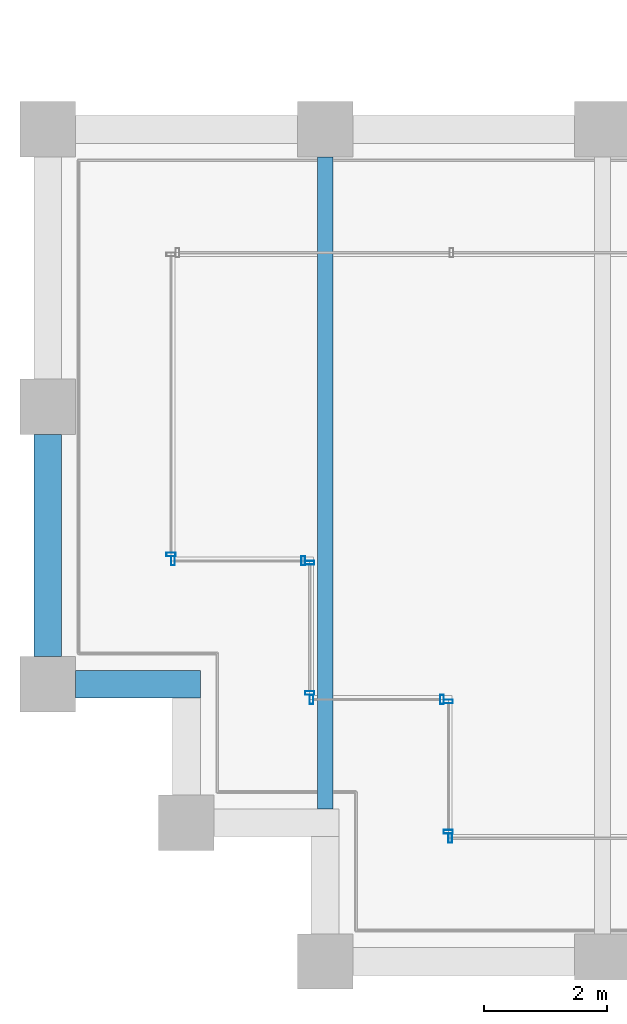
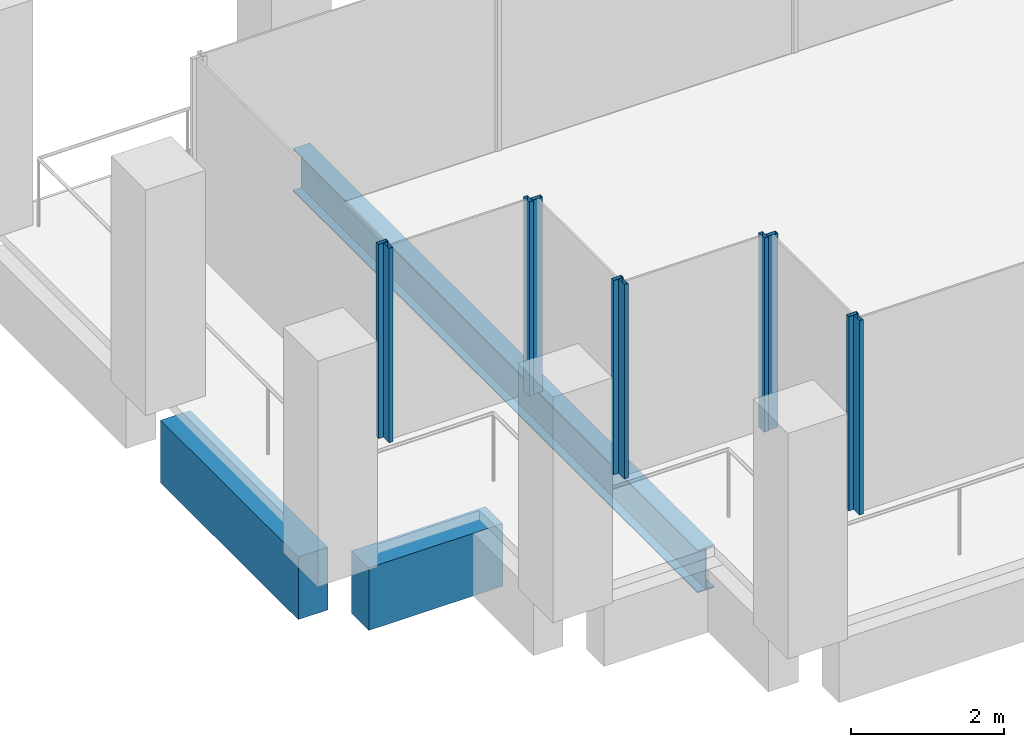
# One storey, part 2 of 40: 10 members, 3 beams, 6 elements without a shape of their own.
"""IFC4 building model written with IfcOpenShell, lengths in metres."""

from ifc_helpers import new_model, si_unit, direction, frame, origin, origin_2d, place, context, subcontext, project, spatial, rectangle, hollow_rectangle, i_section, extrude, material, material_profile, profile_set, type_object, element, aggregate, save


model = new_model("IFC4")

# Units and contexts
model_context = context("Model", 3, precision=1e-05, world=origin(), true_north=direction((0.0, 1.0)))
body_context = subcontext(model_context, "Body", "Model", "MODEL_VIEW")
ifc_project = project(units=[si_unit("LENGTHUNIT", "METRE"), si_unit("AREAUNIT", "SQUARE_METRE"), si_unit("VOLUMEUNIT", "CUBIC_METRE"), si_unit("PLANEANGLEUNIT", "RADIAN"), si_unit("MASSUNIT", "GRAM", prefix="KILO")], contexts=[model_context])

# Site, building, storey
site_placement = place(None, origin())
site = spatial("IfcSite", under=ifc_project, at=site_placement, CompositionType="ELEMENT")
building_placement = place(site_placement, origin())
building = spatial("IfcBuilding", under=site, at=building_placement, Name="Altepetl Exchange Towers", CompositionType="ELEMENT")
storey_placement = place(building_placement, frame((0.0, 0.0, 161.800048828125)))
storey = spatial("IfcBuildingStorey", under=building, at=storey_placement, Name="L40", CompositionType="ELEMENT", Elevation=161.800048828125)

# Beam
ifc_material_1 = material(Name="Steel S355", Category="steel")
ifc_material_profile_1 = material_profile(ifc_material_1, i_section(OverallWidth=0.25390625, OverallDepth=0.68408203125, WebThickness=0.012451171875, FlangeThickness=0.018798828125, at=origin_2d()), Name="W27X94")
ifc_profile_set_1 = profile_set([ifc_material_profile_1], Name="Steel S355")
beam_type_1 = type_object("IfcBeamType", Name="Floor beam W27X94", PredefinedType="BEAM", material=ifc_profile_set_1)
beam_1_placement = place(storey_placement, frame((31.5, 29.47509765625, -0.491943359375), z_axis=(0.0, 1.0, 0.0), x_axis=(-1.0, 0.0, 0.0)))
element("IfcBeam", 1, at=beam_1_placement, inside=storey, type_object=beam_type_1, Name="bm:A:L40:012", PredefinedType="BEAM", context=body_context, shape_type="SweptSolid", body=[
    extrude(i_section(OverallWidth=0.25390625, OverallDepth=0.68408203125, WebThickness=0.012451171875, FlangeThickness=0.018798828125, at=origin_2d()), origin(), (0.0, 0.0, 1.0), 10.574951171875),
])

# Curtain wall, member
ifc_material_2 = material(Name="Aluminium 6063-T6 glazing", Category="aluminium")
curtain_wall_type = type_object("IfcCurtainWallType", Name="Loggia glazing system", PredefinedType="NOTDEFINED", material=ifc_material_2)
curtain_wall_1_placement = place(storey_placement, origin())
curtain_wall_1 = element("IfcCurtainWall", 2, at=curtain_wall_1_placement, inside=storey, type_object=curtain_wall_type, Name="CW1 run", PredefinedType="NOTDEFINED")
ifc_material_3 = material(Name="Aluminium 6063-T6", Category="aluminium")
ifc_material_profile_2 = material_profile(ifc_material_3, hollow_rectangle(XDim=0.06005859375, YDim=0.14990234375, WallThickness=0.0029296875, at=origin_2d()), Name="Mullion 60x150 aluminium")
ifc_profile_set_2 = profile_set([ifc_material_profile_2], Name="Aluminium 6063-T6")
member_type = type_object("IfcMemberType", Name="Mullion 60x150 aluminium", PredefinedType="MULLION", material=ifc_profile_set_2)
member_1_placement = place(storey_placement, frame((29.0, 33.60498046875, 0.0), z_axis=(0.0, 0.0, 1.0), x_axis=(0.0, -1.0, 0.0)))
member_1 = element("IfcMember", 3, at=member_1_placement, type_object=member_type, Name="MU1 mullion", PredefinedType="MULLION", context=body_context, shape_type="SweptSolid", body=[
    extrude(hollow_rectangle(XDim=0.06005859375, YDim=0.14990234375, WallThickness=0.0029296875, at=origin_2d()), origin(), (0.0, 0.0, 1.0), 3.099853515625),
])
aggregate(curtain_wall_1, [member_1])

# Curtain wall, members
curtain_wall_2_placement = place(storey_placement, origin())
curtain_wall_2 = element("IfcCurtainWall", 4, at=curtain_wall_2_placement, inside=storey, type_object=curtain_wall_type, Name="CW1 run", PredefinedType="NOTDEFINED")
member_2_placement = place(storey_placement, frame((29.030029296875, 33.5, 0.0)))
member_2 = element("IfcMember", 5, at=member_2_placement, type_object=member_type, Name="MU1 mullion", PredefinedType="MULLION", context=body_context, shape_type="SweptSolid", body=[
    extrude(hollow_rectangle(XDim=0.06005859375, YDim=0.14990234375, WallThickness=0.0029296875, at=origin_2d()), origin(), (0.0, 0.0, 1.0), 3.099853515625),
])
member_3_placement = place(storey_placement, frame((31.14501953125, 33.5, 0.0)))
member_3 = element("IfcMember", 6, at=member_3_placement, type_object=member_type, Name="MU1 mullion", PredefinedType="MULLION", context=body_context, shape_type="SweptSolid", body=[
    extrude(hollow_rectangle(XDim=0.06005859375, YDim=0.14990234375, WallThickness=0.0029296875, at=origin_2d()), origin(), (0.0, 0.0, 1.0), 3.099853515625),
])
aggregate(curtain_wall_2, [member_2, member_3])

curtain_wall_3_placement = place(storey_placement, origin())
curtain_wall_3 = element("IfcCurtainWall", 7, at=curtain_wall_3_placement, inside=storey, type_object=curtain_wall_type, Name="CW1 run", PredefinedType="NOTDEFINED")
member_4_placement = place(storey_placement, frame((31.25, 33.469970703125, 0.0), z_axis=(0.0, 0.0, 1.0), x_axis=(0.0, -1.0, 0.0)))
member_4 = element("IfcMember", 8, at=member_4_placement, type_object=member_type, Name="MU1 mullion", PredefinedType="MULLION", context=body_context, shape_type="SweptSolid", body=[
    extrude(hollow_rectangle(XDim=0.06005859375, YDim=0.14990234375, WallThickness=0.0029296875, at=origin_2d()), origin(), (0.0, 0.0, 1.0), 3.099853515625),
])
member_5_placement = place(storey_placement, frame((31.25, 31.35498046875, 0.0), z_axis=(0.0, 0.0, 1.0), x_axis=(0.0, -1.0, 0.0)))
member_5 = element("IfcMember", 9, at=member_5_placement, type_object=member_type, Name="MU1 mullion", PredefinedType="MULLION", context=body_context, shape_type="SweptSolid", body=[
    extrude(hollow_rectangle(XDim=0.06005859375, YDim=0.14990234375, WallThickness=0.0029296875, at=origin_2d()), origin(), (0.0, 0.0, 1.0), 3.099853515625),
])
aggregate(curtain_wall_3, [member_4, member_5])

curtain_wall_4_placement = place(storey_placement, origin())
curtain_wall_4 = element("IfcCurtainWall", 10, at=curtain_wall_4_placement, inside=storey, type_object=curtain_wall_type, Name="CW1 run", PredefinedType="NOTDEFINED")
member_6_placement = place(storey_placement, frame((31.280029296875, 31.25, 0.0)))
member_6 = element("IfcMember", 11, at=member_6_placement, type_object=member_type, Name="MU1 mullion", PredefinedType="MULLION", context=body_context, shape_type="SweptSolid", body=[
    extrude(hollow_rectangle(XDim=0.06005859375, YDim=0.14990234375, WallThickness=0.0029296875, at=origin_2d()), origin(), (0.0, 0.0, 1.0), 3.099853515625),
])
member_7_placement = place(storey_placement, frame((33.39501953125, 31.25, 0.0)))
member_7 = element("IfcMember", 12, at=member_7_placement, type_object=member_type, Name="MU1 mullion", PredefinedType="MULLION", context=body_context, shape_type="SweptSolid", body=[
    extrude(hollow_rectangle(XDim=0.06005859375, YDim=0.14990234375, WallThickness=0.0029296875, at=origin_2d()), origin(), (0.0, 0.0, 1.0), 3.099853515625),
])
aggregate(curtain_wall_4, [member_6, member_7])

curtain_wall_5_placement = place(storey_placement, origin())
curtain_wall_5 = element("IfcCurtainWall", 13, at=curtain_wall_5_placement, inside=storey, type_object=curtain_wall_type, Name="CW1 run", PredefinedType="NOTDEFINED")
member_8_placement = place(storey_placement, frame((33.5, 31.219970703125, 0.0), z_axis=(0.0, 0.0, 1.0), x_axis=(0.0, -1.0, 0.0)))
member_8 = element("IfcMember", 14, at=member_8_placement, type_object=member_type, Name="MU1 mullion", PredefinedType="MULLION", context=body_context, shape_type="SweptSolid", body=[
    extrude(hollow_rectangle(XDim=0.06005859375, YDim=0.14990234375, WallThickness=0.0029296875, at=origin_2d()), origin(), (0.0, 0.0, 1.0), 3.099853515625),
])
member_9_placement = place(storey_placement, frame((33.5, 29.10498046875, 0.0), z_axis=(0.0, 0.0, 1.0), x_axis=(0.0, -1.0, 0.0)))
member_9 = element("IfcMember", 15, at=member_9_placement, type_object=member_type, Name="MU1 mullion", PredefinedType="MULLION", context=body_context, shape_type="SweptSolid", body=[
    extrude(hollow_rectangle(XDim=0.06005859375, YDim=0.14990234375, WallThickness=0.0029296875, at=origin_2d()), origin(), (0.0, 0.0, 1.0), 3.099853515625),
])
aggregate(curtain_wall_5, [member_8, member_9])

# Curtain wall, member
curtain_wall_6_placement = place(storey_placement, origin())
curtain_wall_6 = element("IfcCurtainWall", 16, at=curtain_wall_6_placement, inside=storey, type_object=curtain_wall_type, Name="CW1 run", PredefinedType="NOTDEFINED")
member_10_placement = place(storey_placement, frame((33.530029296875, 29.0, 0.0)))
member_10 = element("IfcMember", 17, at=member_10_placement, type_object=member_type, Name="MU1 mullion", PredefinedType="MULLION", context=body_context, shape_type="SweptSolid", body=[
    extrude(hollow_rectangle(XDim=0.06005859375, YDim=0.14990234375, WallThickness=0.0029296875, at=origin_2d()), origin(), (0.0, 0.0, 1.0), 3.099853515625),
])
aggregate(curtain_wall_6, [member_10])

# Beams
ifc_material_4 = material(Name="Concrete C50/60 precast with cantera blanca facing", Category="concrete")
ifc_material_profile_3 = material_profile(ifc_material_4, rectangle(XDim=0.449951171875, YDim=1.0, at=origin_2d()), Name="450 x 1000")
ifc_profile_set_3 = profile_set([ifc_material_profile_3], Name="Concrete C50/60 precast with cantera blanca facing")
beam_type_2 = type_object("IfcBeamType", Name="Spandrel beam 450x1000 cantera blanca", PredefinedType="SPANDREL", material=ifc_profile_set_3)
beam_2_placement = place(storey_placement, frame((27.0, 35.550048828125, -0.650146484375), z_axis=(0.0, -1.0, 0.0), x_axis=(1.0, 0.0, 0.0)))
element("IfcBeam", 18, at=beam_2_placement, inside=storey, type_object=beam_type_2, Name="sp:A:L40:037", PredefinedType="SPANDREL", context=body_context, shape_type="SweptSolid", body=[
    extrude(rectangle(XDim=0.449951171875, YDim=1.0, at=origin_2d()), origin(), (0.0, 0.0, 1.0), 3.60009765625),
])
beam_3_placement = place(storey_placement, frame((27.449951171875, 31.5, -0.650146484375), z_axis=(1.0, 0.0, 0.0), x_axis=(0.0, 1.0, 0.0)))
element("IfcBeam", 19, at=beam_3_placement, inside=storey, type_object=beam_type_2, Name="sp:A:L40:038", PredefinedType="SPANDREL", context=body_context, shape_type="SweptSolid", body=[
    extrude(rectangle(XDim=0.449951171875, YDim=1.0, at=origin_2d()), origin(), (0.0, 0.0, 1.0), 2.025146484375),
])

save(model, "model.ifc")
